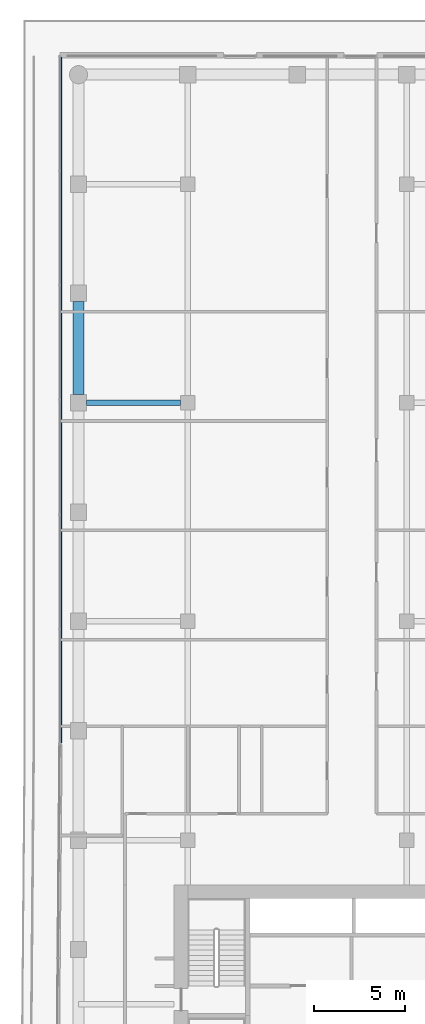
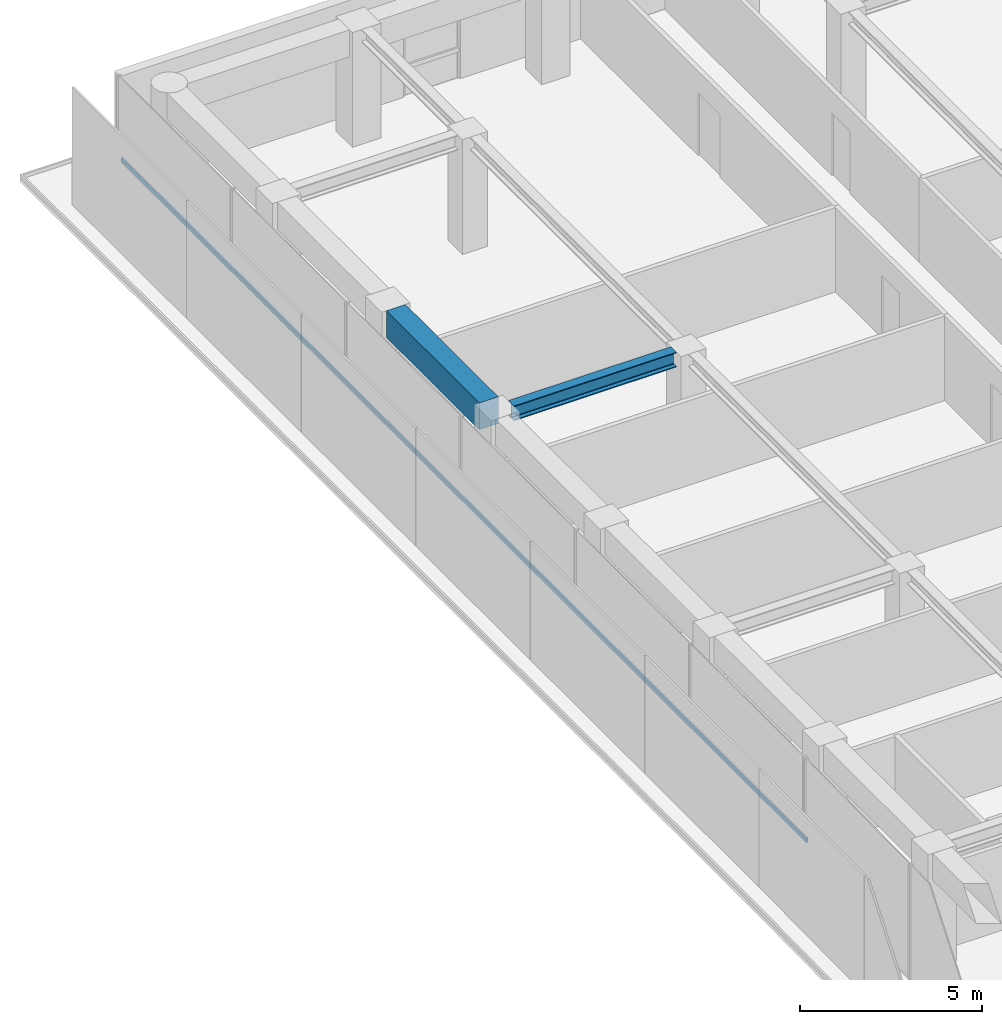
# One storey, part 13 of 23: 2 beams, 1 member, 1 element without a shape of its own.
"""IFC4 building model written with IfcOpenShell, lengths in metres."""

from ifc_helpers import new_model, si_unit, direction, frame, origin, origin_2d, place, context, subcontext, project, spatial, rectangle, i_section, extrude, material, layer, layer_set, material_profile, profile_set, type_object, element, aggregate, save


model = new_model("IFC4")

# Units and contexts
model_context = context("Model", 3, precision=1e-05, world=origin(), true_north=direction((0.0, 1.0)))
body_context = subcontext(model_context, "Body", "Model", "MODEL_VIEW")
ifc_project = project(units=[si_unit("LENGTHUNIT", "METRE"), si_unit("AREAUNIT", "SQUARE_METRE"), si_unit("VOLUMEUNIT", "CUBIC_METRE"), si_unit("PLANEANGLEUNIT", "RADIAN"), si_unit("MASSUNIT", "GRAM", prefix="KILO")], contexts=[model_context])

# Site, building, storey
site_placement = place(None, origin())
site = spatial("IfcSite", under=ifc_project, at=site_placement, CompositionType="ELEMENT")
building_placement = place(site_placement, origin())
building = spatial("IfcBuilding", under=site, at=building_placement, Name="Welwitschia Terrace Campus", CompositionType="ELEMENT")
storey_placement = place(building_placement, frame((0.0, 0.0, 113.0)))
storey = spatial("IfcBuildingStorey", under=building, at=storey_placement, Name="L25", CompositionType="ELEMENT", Elevation=113.0)

# Beams
ifc_material_1 = material(Name="Steel S355", Category="steel")
ifc_material_profile_1 = material_profile(ifc_material_1, i_section(OverallWidth=0.300048828125, OverallDepth=0.5, WebThickness=0.014404296875, FlangeThickness=0.028076171875, FilletRadius=0.027099609375, at=origin_2d()))
ifc_profile_set_1 = profile_set([ifc_material_profile_1], Name="Steel S355")
beam_type_1 = type_object("IfcBeamType", Name="Primary beam HE 500 B", PredefinedType="BEAM", material=ifc_profile_set_1)
beam_1_placement = place(storey_placement, frame((0.450439453125, 52.0, 3.60009765625), z_axis=(1.0, 0.0, 0.0), x_axis=(0.0, 1.0, 0.0)))
element("IfcBeam", 1, at=beam_1_placement, inside=storey, type_object=beam_type_1, Name="Primary beam PB3", PredefinedType="BEAM", context=body_context, shape_type="SweptSolid", body=[
    extrude(i_section(OverallWidth=0.300048828125, OverallDepth=0.5, WebThickness=0.014404296875, FlangeThickness=0.028076171875, FilletRadius=0.027099609375, at=origin_2d()), origin(), (0.0, 0.0, 1.0), 5.149169921875),
])
ifc_material_2 = material(Name="Concrete C60/75", Category="concrete")
ifc_material_profile_2 = material_profile(ifc_material_2, rectangle(XDim=0.60009765625, YDim=0.89990234375, at=origin_2d()))
ifc_profile_set_2 = profile_set([ifc_material_profile_2], Name="Concrete C60/75")
beam_type_2 = type_object("IfcBeamType", Name="Ring spandrel 600x900", PredefinedType="SPANDREL", material=ifc_profile_set_2)
beam_2_placement = place(storey_placement, frame((0.0, 57.549560546875, 3.39990234375), z_axis=(0.0, -1.0, 0.0), x_axis=(1.0, 0.0, 0.0)))
element("IfcBeam", 2, at=beam_2_placement, inside=storey, type_object=beam_type_2, Name="Spandrel SP2", PredefinedType="SPANDREL", context=body_context, shape_type="SweptSolid", body=[
    extrude(rectangle(XDim=0.60009765625, YDim=0.89990234375, at=origin_2d()), origin(), (0.0, 0.0, 1.0), 5.09912109375),
])

# Curtain wall, member
ifc_material_3 = material(Name="Bronze anodised aluminium", Category="aluminium")
ifc_layer = layer(ifc_material_3, 0.1201171875)
ifc_layer_set = layer_set([ifc_layer], Name="Bronze anodised aluminium")
curtain_wall_type = type_object("IfcCurtainWallType", Name="Curtain wall CW2 tower 6000", PredefinedType="NOTDEFINED", material=ifc_layer_set)
curtain_wall_placement = place(storey_placement, origin())
curtain_wall = element("IfcCurtainWall", 3, at=curtain_wall_placement, inside=storey, type_object=curtain_wall_type, Name="CW L25.1.0", PredefinedType="NOTDEFINED")
ifc_material_4 = material(Name="Bronze anodised aluminium", Category="aluminium")
ifc_material_profile_3 = material_profile(ifc_material_4, rectangle(XDim=0.06005859375, YDim=0.14990234375, at=origin_2d()))
ifc_profile_set_3 = profile_set([ifc_material_profile_3], Name="Bronze anodised aluminium")
member_type = type_object("IfcMemberType", Name="Transom 60x150", PredefinedType="USERDEFINED", material=ifc_profile_set_3)
member_placement = place(storey_placement, frame((-0.93994140625, 70.969970703125, 1.0), z_axis=(0.0, -1.0, 0.0), x_axis=(1.0, 0.0, 0.0)))
member = element("IfcMember", 4, at=member_placement, type_object=member_type, Name="Transom L25.1.0", ObjectType="TRANSOM", PredefinedType="USERDEFINED", context=body_context, shape_type="SweptSolid", body=[
    extrude(rectangle(XDim=0.06005859375, YDim=0.14990234375, at=origin_2d()), origin(), (0.0, 0.0, 1.0), 37.626220703125),
])
aggregate(curtain_wall, [member])

save(model, "model.ifc")
